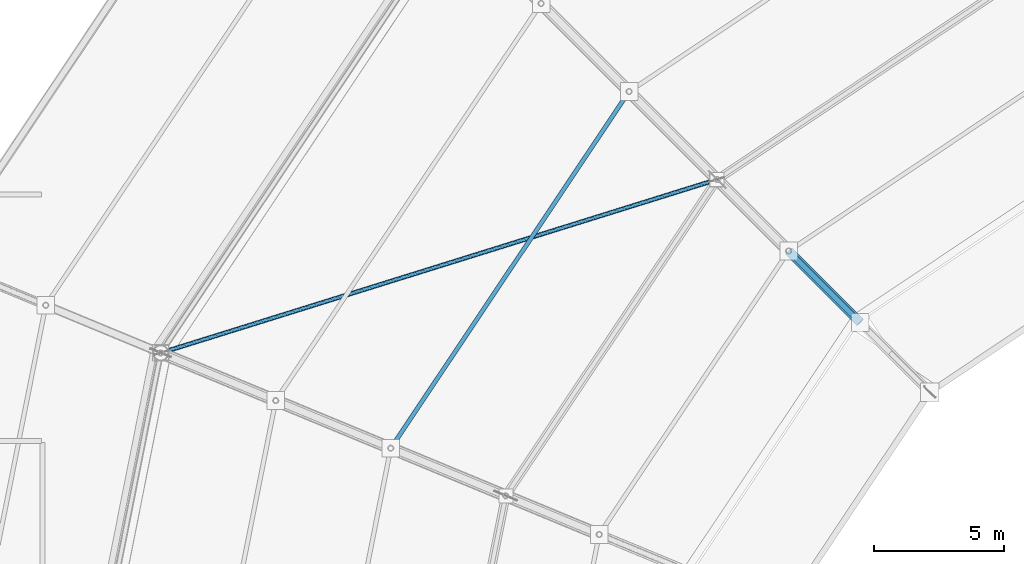
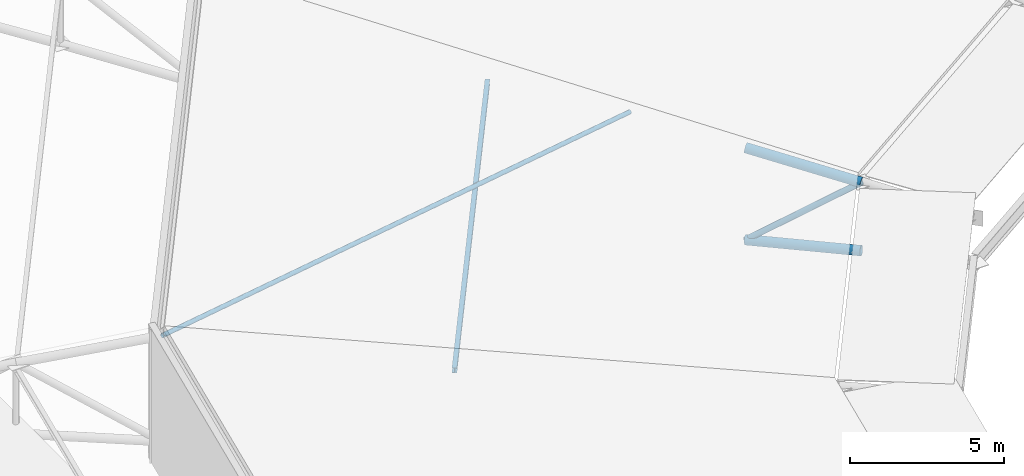
# One storey, part 48 of 146: 5 members.
"""IFC4 building model written with IfcOpenShell, lengths in metres."""

from ifc_helpers import new_model, si_unit, direction, frame, origin, origin_2d, place, context, subcontext, project, spatial, hollow_circle, i_section, extrude, material, material_profile, profile_set, type_object, element, save


model = new_model("IFC4")

# Units and contexts
model_context = context("Model", 3, precision=1e-05, world=origin(), true_north=direction((0.0, 1.0)))
body_context = subcontext(model_context, "Body", "Model", "MODEL_VIEW")
ifc_project = project(units=[si_unit("LENGTHUNIT", "METRE"), si_unit("AREAUNIT", "SQUARE_METRE"), si_unit("VOLUMEUNIT", "CUBIC_METRE"), si_unit("PLANEANGLEUNIT", "RADIAN"), si_unit("MASSUNIT", "GRAM", prefix="KILO")], contexts=[model_context])

# Site, building, storey
site_placement = place(None, origin())
site = spatial("IfcSite", under=ifc_project, at=site_placement, CompositionType="ELEMENT")
building_placement = place(site_placement, origin())
building = spatial("IfcBuilding", under=site, at=building_placement, Name="Candeia Ridge Stadium", CompositionType="ELEMENT")
storey_placement = place(building_placement, frame((0.0, 0.0, 31.800048828125)))
storey = spatial("IfcBuildingStorey", under=building, at=storey_placement, Name="RF", CompositionType="ELEMENT", Elevation=31.800048828125)

# Members
ifc_material = material(Name="Steel ASTM A572 Grade 50", Category="steel")
ifc_material_profile_1 = material_profile(ifc_material, hollow_circle(Radius=0.084228515625, WallThickness=0.008056640625, at=origin_2d()), Name="CHS168x8", Category="steel")
ifc_profile_set_1 = profile_set([ifc_material_profile_1], Name="Steel ASTM A572 Grade 50")
member_type_1 = type_object("IfcMemberType", Name="Roof Plan Wind Brace CHS168x8", PredefinedType="BRACE", material=ifc_profile_set_1)
member_1_placement = place(storey_placement, frame((44.393798828125, 121.581298828125, 1.938232421875), z_axis=(-0.948055074417, -0.295520142665, 0.11772604279), x_axis=(0.297589547303, -0.954693909762, 0.0)))
element("IfcMember", 1, at=member_1_placement, inside=storey, type_object=member_type_1, Name="Roof plane wind brace bay 10", PredefinedType="BRACE", context=body_context, shape_type="SweptSolid", body=[
    extrude(hollow_circle(Radius=0.084228515625, WallThickness=0.008056640625, at=origin_2d()), origin(), (0.0, 0.0, 1.0), 22.58984375),
])
ifc_material_profile_2 = material_profile(ifc_material, i_section(OverallWidth=0.1650390625, OverallDepth=0.200927734375, WebThickness=0.006103515625, FlangeThickness=0.01025390625, FilletRadius=0.010009765625, at=origin_2d()), Name="W200x35.9", Category="steel")
ifc_profile_set_2 = profile_set([ifc_material_profile_2], Name="Steel ASTM A572 Grade 50")
member_type_2 = type_object("IfcMemberType", Name="Roof Purlin W200x35.9", PredefinedType="PURLIN", material=ifc_profile_set_2)
member_2_placement = place(storey_placement, frame((40.990966796875, 124.939697265625, 2.303955078125), z_axis=(-0.555577006671, -0.831465086253, 0.0), x_axis=(0.831465086253, -0.555577006671, 0.0)))
element("IfcMember", 2, at=member_2_placement, inside=storey, type_object=member_type_2, Name="Saddle roof steel purlin bay 10-3", PredefinedType="PURLIN", context=body_context, shape_type="SweptSolid", body=[
    extrude(i_section(OverallWidth=0.1650390625, OverallDepth=0.200927734375, WebThickness=0.006103515625, FlangeThickness=0.01025390625, FilletRadius=0.010009765625, at=origin_2d()), origin(), (0.0, 0.0, 1.0), 16.443603515625),
])
ifc_material_profile_3 = material_profile(ifc_material, hollow_circle(Radius=0.109619140625, WallThickness=0.010009765625, at=origin_2d()), Name="CHS219x10", Category="steel")
ifc_profile_set_3 = profile_set([ifc_material_profile_3], Name="Steel ASTM A572 Grade 50")
member_type_3 = type_object("IfcMemberType", Name="Roof Truss Inner Web Brace CHS219x10", PredefinedType="BRACE", material=ifc_profile_set_3)
member_3_placement = place(storey_placement, frame((49.92822265625, 116.07177734375, 0.54296875), z_axis=(-0.561375904799, 0.561375904799, -0.608041270822), x_axis=(-0.707106781187, -0.707106781187, 0.0)))
element("IfcMember", 3, at=member_3_placement, inside=storey, type_object=member_type_3, Name="Roof cantilever truss RT-10 diagonal web 2", PredefinedType="BRACE", context=body_context, shape_type="SweptSolid", body=[
    extrude(hollow_circle(Radius=0.109619140625, WallThickness=0.010009765625, at=origin_2d()), origin(), (0.0, 0.0, 1.0), 4.91259765625),
])
ifc_material_profile_4 = material_profile(ifc_material, hollow_circle(Radius=0.177734375, WallThickness=0.01416015625, at=origin_2d()), Name="CHS355x14", Category="steel")
ifc_profile_set_4 = profile_set([ifc_material_profile_4], Name="Steel ASTM A572 Grade 50")
member_type_4 = type_object("IfcMemberType", Name="Roof Truss Tip Chord CHS355x14", PredefinedType="CHORD", material=ifc_profile_set_4)
member_4_placement = place(storey_placement, frame((49.92822265625, 116.07177734375, 0.54296875), z_axis=(-0.696856933959, 0.696856933959, 0.169649129638), x_axis=(-0.707106781187, -0.707106781187, 0.0)))
element("IfcMember", 4, at=member_4_placement, inside=storey, type_object=member_type_4, Name="Roof cantilever truss RT-10 top chord 2", PredefinedType="CHORD", context=body_context, shape_type="SweptSolid", body=[
    extrude(hollow_circle(Radius=0.177734375, WallThickness=0.01416015625, at=origin_2d()), origin(), (0.0, 0.0, 1.0), 3.95751953125),
])
member_5_placement = place(storey_placement, frame((49.92822265625, 116.07177734375, -2.17431640625), z_axis=(-0.705421217508, 0.705421217508, -0.069005882201), x_axis=(-0.707106781187, -0.707106781187, 0.0)))
element("IfcMember", 5, at=member_5_placement, inside=storey, type_object=member_type_4, Name="Roof cantilever truss RT-10 bottom chord 2", PredefinedType="CHORD", context=body_context, shape_type="SweptSolid", body=[
    extrude(hollow_circle(Radius=0.177734375, WallThickness=0.01416015625, at=origin_2d()), origin(), (0.0, 0.0, 1.0), 3.909423828125),
])

save(model, "model.ifc")
